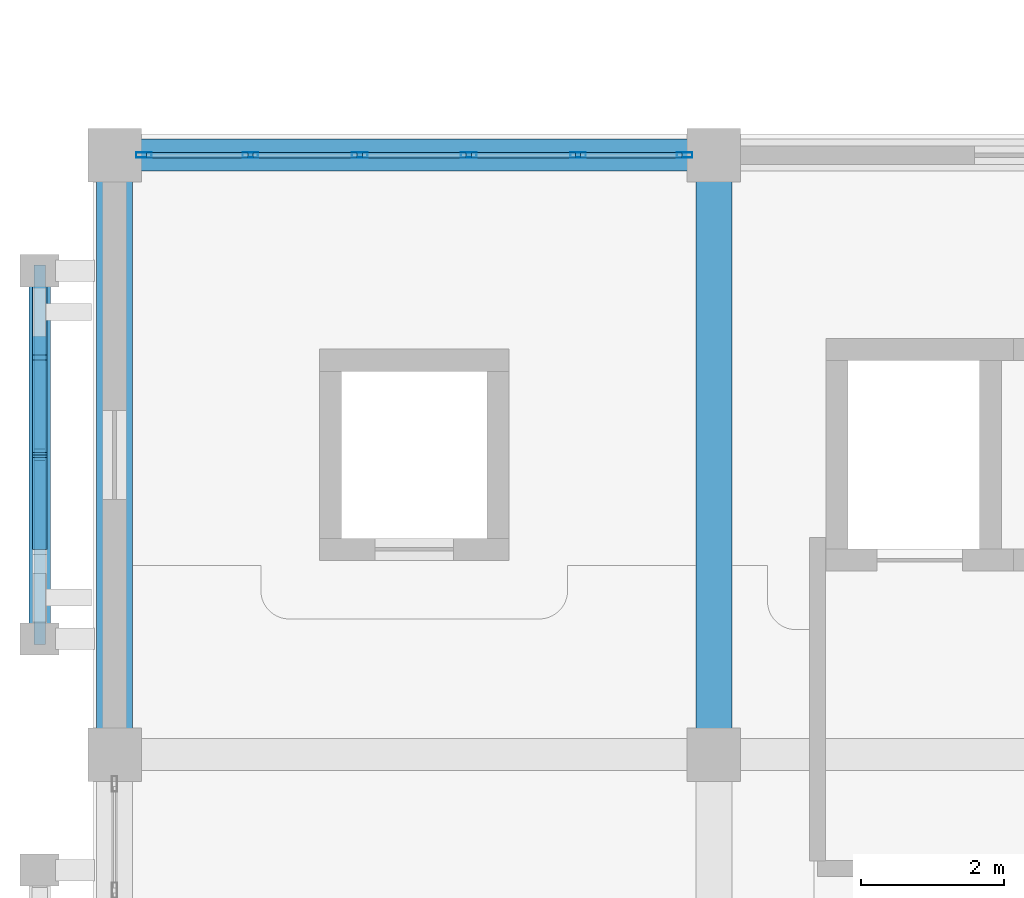
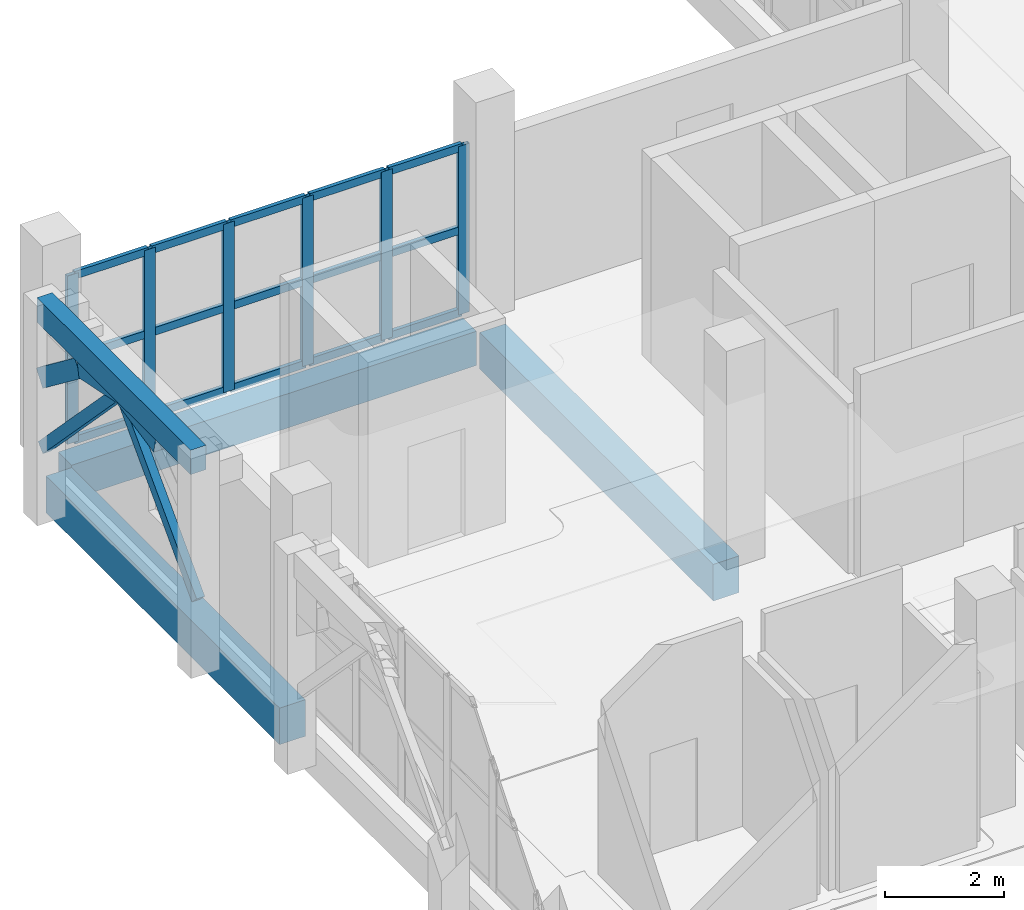
# One storey, part 52 of 114: 26 members, 4 beams, 1 element without a shape of its own.
"""IFC4 building model written with IfcOpenShell, lengths in metres."""

from ifc_helpers import new_model, si_unit, direction, frame, origin, origin_2d, place, context, subcontext, project, spatial, rectangle, hollow_rectangle, extrude, material, layer, layer_set, material_profile, profile_set, type_object, element, aggregate, save


model = new_model("IFC4")

# Units and contexts
model_context = context("Model", 3, precision=1e-05, world=origin(), true_north=direction((0.0, 1.0)))
body_context = subcontext(model_context, "Body", "Model", "MODEL_VIEW")
ifc_project = project(units=[si_unit("LENGTHUNIT", "METRE"), si_unit("AREAUNIT", "SQUARE_METRE"), si_unit("VOLUMEUNIT", "CUBIC_METRE"), si_unit("PLANEANGLEUNIT", "RADIAN"), si_unit("MASSUNIT", "GRAM", prefix="KILO")], contexts=[model_context])

# Site, building, storey
site_placement = place(None, origin())
site = spatial("IfcSite", under=ifc_project, at=site_placement, CompositionType="ELEMENT")
building_placement = place(site_placement, origin())
building = spatial("IfcBuilding", under=site, at=building_placement, Name="Xazarin Passage Department Store", CompositionType="ELEMENT")
storey_placement = place(building_placement, frame((0.0, 0.0, 14.39990234375)))
storey = spatial("IfcBuildingStorey", under=building, at=storey_placement, Name="L03", CompositionType="ELEMENT", Elevation=14.39990234375)

# Curtain wall, members
ifc_material_1 = material(Name="Bronze anodised aluminium", Category="aluminium")
ifc_layer = layer(ifc_material_1, 0.199951171875)
ifc_layer_set = layer_set([ifc_layer], Name="Bronze anodised aluminium")
curtain_wall_type = type_object("IfcCurtainWallType", Name="ARC-CW-VIT2", PredefinedType="NOTDEFINED", material=ifc_layer_set)
curtain_wall_placement = place(storey_placement, origin())
curtain_wall = element("IfcCurtainWall", 1, at=curtain_wall_placement, inside=storey, type_object=curtain_wall_type, Name="L03 V1 Curtain Wall 060", PredefinedType="NOTDEFINED")
ifc_material_profile_1 = material_profile(ifc_material_1, hollow_rectangle(XDim=0.074951171875, YDim=0.219970703125, WallThickness=0.0048828125, at=origin_2d()), Name="ALU 75x220")
ifc_profile_set_1 = profile_set([ifc_material_profile_1], Name="Bronze anodised aluminium")
member_type_1 = type_object("IfcMemberType", Name="ARC-CWM-75x220", PredefinedType="MULLION", material=ifc_profile_set_1)
member_1_placement = place(storey_placement, frame((0.41259765625, 101.60009765625, 0.0), z_axis=(0.0, 0.0, 1.0), x_axis=(0.0, 1.0, 0.0)))
member_1 = element("IfcMember", 2, at=member_1_placement, type_object=member_type_1, Name="CW2 mullion 1", PredefinedType="MULLION", context=body_context, shape_type="SweptSolid", body=[
    extrude(hollow_rectangle(XDim=0.074951171875, YDim=0.219970703125, WallThickness=0.0048828125, at=origin_2d()), origin(), (0.0, 0.0, 1.0), 3.4501953125),
])
member_2_placement = place(storey_placement, frame((1.905029296875, 101.60009765625, 0.0), z_axis=(0.0, 0.0, 1.0), x_axis=(0.0, 1.0, 0.0)))
member_2 = element("IfcMember", 3, at=member_2_placement, type_object=member_type_1, Name="CW2 mullion 2", PredefinedType="MULLION", context=body_context, shape_type="SweptSolid", body=[
    extrude(hollow_rectangle(XDim=0.074951171875, YDim=0.219970703125, WallThickness=0.0048828125, at=origin_2d()), origin(), (0.0, 0.0, 1.0), 3.4501953125),
])
member_3_placement = place(storey_placement, frame((3.43505859375, 101.60009765625, 0.0), z_axis=(0.0, 0.0, 1.0), x_axis=(0.0, 1.0, 0.0)))
member_3 = element("IfcMember", 4, at=member_3_placement, type_object=member_type_1, Name="CW2 mullion 3", PredefinedType="MULLION", context=body_context, shape_type="SweptSolid", body=[
    extrude(hollow_rectangle(XDim=0.074951171875, YDim=0.219970703125, WallThickness=0.0048828125, at=origin_2d()), origin(), (0.0, 0.0, 1.0), 3.4501953125),
])
member_4_placement = place(storey_placement, frame((4.965087890625, 101.60009765625, 0.0), z_axis=(0.0, 0.0, 1.0), x_axis=(0.0, 1.0, 0.0)))
member_4 = element("IfcMember", 5, at=member_4_placement, type_object=member_type_1, Name="CW2 mullion 4", PredefinedType="MULLION", context=body_context, shape_type="SweptSolid", body=[
    extrude(hollow_rectangle(XDim=0.074951171875, YDim=0.219970703125, WallThickness=0.0048828125, at=origin_2d()), origin(), (0.0, 0.0, 1.0), 3.4501953125),
])
member_5_placement = place(storey_placement, frame((6.4951171875, 101.60009765625, 0.0), z_axis=(0.0, 0.0, 1.0), x_axis=(0.0, 1.0, 0.0)))
member_5 = element("IfcMember", 6, at=member_5_placement, type_object=member_type_1, Name="CW2 mullion 5", PredefinedType="MULLION", context=body_context, shape_type="SweptSolid", body=[
    extrude(hollow_rectangle(XDim=0.074951171875, YDim=0.219970703125, WallThickness=0.0048828125, at=origin_2d()), origin(), (0.0, 0.0, 1.0), 3.4501953125),
])
member_6_placement = place(storey_placement, frame((7.987548828125, 101.60009765625, 0.0), z_axis=(0.0, 0.0, 1.0), x_axis=(0.0, 1.0, 0.0)))
member_6 = element("IfcMember", 7, at=member_6_placement, type_object=member_type_1, Name="CW2 mullion 6", PredefinedType="MULLION", context=body_context, shape_type="SweptSolid", body=[
    extrude(hollow_rectangle(XDim=0.074951171875, YDim=0.219970703125, WallThickness=0.0048828125, at=origin_2d()), origin(), (0.0, 0.0, 1.0), 3.4501953125),
])
ifc_material_profile_2 = material_profile(ifc_material_1, hollow_rectangle(XDim=0.074951171875, YDim=0.159912109375, WallThickness=0.00439453125, at=origin_2d()), Name="ALU 75x160")
ifc_profile_set_2 = profile_set([ifc_material_profile_2], Name="Bronze anodised aluminium")
member_type_2 = type_object("IfcMemberType", Name="ARC-CWT-75x160", PredefinedType="USERDEFINED", material=ifc_profile_set_2)
member_7_placement = place(storey_placement, frame((0.449951171875, 101.60009765625, 0.03759765625), z_axis=(1.0, 0.0, 0.0), x_axis=(0.0, 1.0, 0.0)))
member_7 = element("IfcMember", 8, at=member_7_placement, type_object=member_type_2, Name="CW2 transom 1.1", ObjectType="TRANSOM", PredefinedType="USERDEFINED", context=body_context, shape_type="SweptSolid", body=[
    extrude(hollow_rectangle(XDim=0.074951171875, YDim=0.159912109375, WallThickness=0.00439453125, at=origin_2d()), origin(), (0.0, 0.0, 1.0), 1.41748046875),
])
member_8_placement = place(storey_placement, frame((0.449951171875, 101.60009765625, 1.72509765625), z_axis=(1.0, 0.0, 0.0), x_axis=(0.0, 1.0, 0.0)))
member_8 = element("IfcMember", 9, at=member_8_placement, type_object=member_type_2, Name="CW2 transom 1.2", ObjectType="TRANSOM", PredefinedType="USERDEFINED", context=body_context, shape_type="SweptSolid", body=[
    extrude(hollow_rectangle(XDim=0.074951171875, YDim=0.159912109375, WallThickness=0.00439453125, at=origin_2d()), origin(), (0.0, 0.0, 1.0), 1.41748046875),
])
member_9_placement = place(storey_placement, frame((0.449951171875, 101.60009765625, 3.41259765625), z_axis=(1.0, 0.0, 0.0), x_axis=(0.0, 1.0, 0.0)))
member_9 = element("IfcMember", 10, at=member_9_placement, type_object=member_type_2, Name="CW2 transom 1.3", ObjectType="TRANSOM", PredefinedType="USERDEFINED", context=body_context, shape_type="SweptSolid", body=[
    extrude(hollow_rectangle(XDim=0.074951171875, YDim=0.159912109375, WallThickness=0.00439453125, at=origin_2d()), origin(), (0.0, 0.0, 1.0), 1.41748046875),
])
member_10_placement = place(storey_placement, frame((1.9423828125, 101.60009765625, 0.03759765625), z_axis=(1.0, 0.0, 0.0), x_axis=(0.0, 1.0, 0.0)))
member_10 = element("IfcMember", 11, at=member_10_placement, type_object=member_type_2, Name="CW2 transom 2.1", ObjectType="TRANSOM", PredefinedType="USERDEFINED", context=body_context, shape_type="SweptSolid", body=[
    extrude(hollow_rectangle(XDim=0.074951171875, YDim=0.159912109375, WallThickness=0.00439453125, at=origin_2d()), origin(), (0.0, 0.0, 1.0), 1.455078125),
])
member_11_placement = place(storey_placement, frame((1.9423828125, 101.60009765625, 1.72509765625), z_axis=(1.0, 0.0, 0.0), x_axis=(0.0, 1.0, 0.0)))
member_11 = element("IfcMember", 12, at=member_11_placement, type_object=member_type_2, Name="CW2 transom 2.2", ObjectType="TRANSOM", PredefinedType="USERDEFINED", context=body_context, shape_type="SweptSolid", body=[
    extrude(hollow_rectangle(XDim=0.074951171875, YDim=0.159912109375, WallThickness=0.00439453125, at=origin_2d()), origin(), (0.0, 0.0, 1.0), 1.455078125),
])
member_12_placement = place(storey_placement, frame((1.9423828125, 101.60009765625, 3.41259765625), z_axis=(1.0, 0.0, 0.0), x_axis=(0.0, 1.0, 0.0)))
member_12 = element("IfcMember", 13, at=member_12_placement, type_object=member_type_2, Name="CW2 transom 2.3", ObjectType="TRANSOM", PredefinedType="USERDEFINED", context=body_context, shape_type="SweptSolid", body=[
    extrude(hollow_rectangle(XDim=0.074951171875, YDim=0.159912109375, WallThickness=0.00439453125, at=origin_2d()), origin(), (0.0, 0.0, 1.0), 1.455078125),
])
member_13_placement = place(storey_placement, frame((3.472412109375, 101.60009765625, 0.03759765625), z_axis=(1.0, 0.0, 0.0), x_axis=(0.0, 1.0, 0.0)))
member_13 = element("IfcMember", 14, at=member_13_placement, type_object=member_type_2, Name="CW2 transom 3.1", ObjectType="TRANSOM", PredefinedType="USERDEFINED", context=body_context, shape_type="SweptSolid", body=[
    extrude(hollow_rectangle(XDim=0.074951171875, YDim=0.159912109375, WallThickness=0.00439453125, at=origin_2d()), origin(), (0.0, 0.0, 1.0), 1.455078125),
])
member_14_placement = place(storey_placement, frame((3.472412109375, 101.60009765625, 1.72509765625), z_axis=(1.0, 0.0, 0.0), x_axis=(0.0, 1.0, 0.0)))
member_14 = element("IfcMember", 15, at=member_14_placement, type_object=member_type_2, Name="CW2 transom 3.2", ObjectType="TRANSOM", PredefinedType="USERDEFINED", context=body_context, shape_type="SweptSolid", body=[
    extrude(hollow_rectangle(XDim=0.074951171875, YDim=0.159912109375, WallThickness=0.00439453125, at=origin_2d()), origin(), (0.0, 0.0, 1.0), 1.455078125),
])
member_15_placement = place(storey_placement, frame((3.472412109375, 101.60009765625, 3.41259765625), z_axis=(1.0, 0.0, 0.0), x_axis=(0.0, 1.0, 0.0)))
member_15 = element("IfcMember", 16, at=member_15_placement, type_object=member_type_2, Name="CW2 transom 3.3", ObjectType="TRANSOM", PredefinedType="USERDEFINED", context=body_context, shape_type="SweptSolid", body=[
    extrude(hollow_rectangle(XDim=0.074951171875, YDim=0.159912109375, WallThickness=0.00439453125, at=origin_2d()), origin(), (0.0, 0.0, 1.0), 1.455078125),
])
member_16_placement = place(storey_placement, frame((5.00244140625, 101.60009765625, 0.03759765625), z_axis=(1.0, 0.0, 0.0), x_axis=(0.0, 1.0, 0.0)))
member_16 = element("IfcMember", 17, at=member_16_placement, type_object=member_type_2, Name="CW2 transom 4.1", ObjectType="TRANSOM", PredefinedType="USERDEFINED", context=body_context, shape_type="SweptSolid", body=[
    extrude(hollow_rectangle(XDim=0.074951171875, YDim=0.159912109375, WallThickness=0.00439453125, at=origin_2d()), origin(), (0.0, 0.0, 1.0), 1.455078125),
])
member_17_placement = place(storey_placement, frame((5.00244140625, 101.60009765625, 1.72509765625), z_axis=(1.0, 0.0, 0.0), x_axis=(0.0, 1.0, 0.0)))
member_17 = element("IfcMember", 18, at=member_17_placement, type_object=member_type_2, Name="CW2 transom 4.2", ObjectType="TRANSOM", PredefinedType="USERDEFINED", context=body_context, shape_type="SweptSolid", body=[
    extrude(hollow_rectangle(XDim=0.074951171875, YDim=0.159912109375, WallThickness=0.00439453125, at=origin_2d()), origin(), (0.0, 0.0, 1.0), 1.455078125),
])
member_18_placement = place(storey_placement, frame((5.00244140625, 101.60009765625, 3.41259765625), z_axis=(1.0, 0.0, 0.0), x_axis=(0.0, 1.0, 0.0)))
member_18 = element("IfcMember", 19, at=member_18_placement, type_object=member_type_2, Name="CW2 transom 4.3", ObjectType="TRANSOM", PredefinedType="USERDEFINED", context=body_context, shape_type="SweptSolid", body=[
    extrude(hollow_rectangle(XDim=0.074951171875, YDim=0.159912109375, WallThickness=0.00439453125, at=origin_2d()), origin(), (0.0, 0.0, 1.0), 1.455078125),
])
member_19_placement = place(storey_placement, frame((6.532470703125, 101.60009765625, 0.03759765625), z_axis=(1.0, 0.0, 0.0), x_axis=(0.0, 1.0, 0.0)))
member_19 = element("IfcMember", 20, at=member_19_placement, type_object=member_type_2, Name="CW2 transom 5.1", ObjectType="TRANSOM", PredefinedType="USERDEFINED", context=body_context, shape_type="SweptSolid", body=[
    extrude(hollow_rectangle(XDim=0.074951171875, YDim=0.159912109375, WallThickness=0.00439453125, at=origin_2d()), origin(), (0.0, 0.0, 1.0), 1.41748046875),
])
member_20_placement = place(storey_placement, frame((6.532470703125, 101.60009765625, 1.72509765625), z_axis=(1.0, 0.0, 0.0), x_axis=(0.0, 1.0, 0.0)))
member_20 = element("IfcMember", 21, at=member_20_placement, type_object=member_type_2, Name="CW2 transom 5.2", ObjectType="TRANSOM", PredefinedType="USERDEFINED", context=body_context, shape_type="SweptSolid", body=[
    extrude(hollow_rectangle(XDim=0.074951171875, YDim=0.159912109375, WallThickness=0.00439453125, at=origin_2d()), origin(), (0.0, 0.0, 1.0), 1.41748046875),
])
member_21_placement = place(storey_placement, frame((6.532470703125, 101.60009765625, 3.41259765625), z_axis=(1.0, 0.0, 0.0), x_axis=(0.0, 1.0, 0.0)))
member_21 = element("IfcMember", 22, at=member_21_placement, type_object=member_type_2, Name="CW2 transom 5.3", ObjectType="TRANSOM", PredefinedType="USERDEFINED", context=body_context, shape_type="SweptSolid", body=[
    extrude(hollow_rectangle(XDim=0.074951171875, YDim=0.159912109375, WallThickness=0.00439453125, at=origin_2d()), origin(), (0.0, 0.0, 1.0), 1.41748046875),
])
aggregate(curtain_wall, [member_1, member_2, member_3, member_4, member_5, member_6, member_7, member_8, member_9, member_10, member_11, member_12, member_13, member_14, member_15, member_16, member_17, member_18, member_19, member_20, member_21])

# Beams
ifc_material_2 = material(Name="Concrete C35/45", Category="concrete")
ifc_material_profile_3 = material_profile(ifc_material_2, rectangle(XDim=0.449951171875, YDim=0.699951171875, at=origin_2d()), Name="RC 450x700")
ifc_profile_set_3 = profile_set([ifc_material_profile_3], Name="Concrete C35/45")
beam_type_1 = type_object("IfcBeamType", Name="STR-BM-G450x700", PredefinedType="BEAM", material=ifc_profile_set_3)
beam_1_placement = place(storey_placement, frame((0.280029296875, 101.60009765625, -0.64990234375), z_axis=(1.0, 0.0, 0.0), x_axis=(0.0, 1.0, 0.0)))
element("IfcBeam", 23, at=beam_1_placement, inside=storey, type_object=beam_type_1, Name="L03 Grid Beam P/1-2", PredefinedType="BEAM", context=body_context, shape_type="SweptSolid", body=[
    extrude(rectangle(XDim=0.449951171875, YDim=0.699951171875, at=origin_2d()), origin(), (0.0, 0.0, 1.0), 7.840087890625),
])
ifc_material_profile_4 = material_profile(ifc_material_2, rectangle(XDim=0.300048828125, YDim=0.5, at=origin_2d()), Name="RC 300x500")
ifc_profile_set_4 = profile_set([ifc_material_profile_4], Name="Concrete C35/45")
beam_type_2 = type_object("IfcBeamType", Name="STR-BM-LN300x500", PredefinedType="LINTEL", material=ifc_profile_set_4)
beam_2_placement = place(storey_placement, frame((-1.050048828125, 94.820068359375, 4.25), z_axis=(0.0, 1.0, 0.0), x_axis=(-1.0, 0.0, 0.0)))
element("IfcBeam", 24, at=beam_2_placement, inside=storey, type_object=beam_type_2, Name="L03 V1 Colonnade Spandrel Beam 013", PredefinedType="LINTEL", context=body_context, shape_type="SweptSolid", body=[
    extrude(rectangle(XDim=0.300048828125, YDim=0.5, at=origin_2d()), origin(), (0.0, 0.0, 1.0), 5.159912109375),
])
ifc_material_profile_5 = material_profile(ifc_material_2, rectangle(XDim=0.5, YDim=0.75, at=origin_2d()), Name="RC 500x750")
ifc_profile_set_5 = profile_set([ifc_material_profile_5], Name="Concrete C35/45")
beam_type_3 = type_object("IfcBeamType", Name="STR-BM-SP500x750", PredefinedType="SPANDREL", material=ifc_profile_set_5)
for number, where, z_axis, x_axis, name in (
    (25, (0.0, 93.47998046875, -0.6748046875), (0.0, 1.0, 0.0), (-1.0, 0.0, 0.0), "L03 Grid Beam 1/N-P"),
    (26, (8.39990234375, 93.47998046875, -0.6748046875), (0.0, 1.0, 0.0), (-1.0, 0.0, 0.0), "L03 Grid Beam 2/N-P"),
):
    element("IfcBeam", number, at=place(storey_placement, frame(where, z_axis=z_axis, x_axis=x_axis)), inside=storey, type_object=beam_type_3, Name=name, PredefinedType="SPANDREL", context=body_context, shape_type="SweptSolid", body=[
        extrude(rectangle(XDim=0.5, YDim=0.75, at=origin_2d()), origin(), (0.0, 0.0, 1.0), 7.840087890625),
    ])

# Members
ifc_material_3 = material(Name="Concrete C40/50", Category="concrete")
ifc_material_profile_6 = material_profile(ifc_material_3, rectangle(XDim=0.199951171875, YDim=0.360107421875, at=origin_2d()), Name="RC 200x360")
ifc_profile_set_6 = profile_set([ifc_material_profile_6], Name="Concrete C40/50")
member_type_3 = type_object("IfcMemberType", Name="STR-MEM-ARC360", PredefinedType="CHORD", material=ifc_profile_set_6)
member_22_placement = place(storey_placement, frame((-1.050048828125, 96.110107421875, 3.81640625), z_axis=(0.0, 0.979737268571, 0.2002870055), x_axis=(-1.0, 0.0, 0.0)))
element("IfcMember", 27, at=member_22_placement, inside=storey, type_object=member_type_3, Name="L03 V1 Pierced Lattice Curved Arch 013.2", PredefinedType="CHORD", context=body_context, shape_type="SweptSolid", body=[
    extrude(rectangle(XDim=0.199951171875, YDim=0.360107421875, at=origin_2d()), origin(), (0.0, 0.0, 1.0), 1.31640625),
])
member_23_placement = place(storey_placement, frame((-1.050048828125, 97.39990234375, 4.080078125), z_axis=(0.0, 0.979744705887, -0.200250621188), x_axis=(-1.0, 0.0, 0.0)))
element("IfcMember", 28, at=member_23_placement, inside=storey, type_object=member_type_3, Name="L03 V1 Pierced Lattice Curved Arch 013.3", PredefinedType="CHORD", context=body_context, shape_type="SweptSolid", body=[
    extrude(rectangle(XDim=0.199951171875, YDim=0.360107421875, at=origin_2d()), origin(), (0.0, 0.0, 1.0), 1.316650390625),
])
member_24_placement = place(storey_placement, frame((-1.050048828125, 98.68994140625, 3.81640625), z_axis=(0.0, 0.79440903847, -0.607383140692), x_axis=(-1.0, 0.0, 0.0)))
element("IfcMember", 29, at=member_24_placement, inside=storey, type_object=member_type_3, Name="L03 V1 Pierced Lattice Curved Arch 013.4", PredefinedType="CHORD", context=body_context, shape_type="SweptSolid", body=[
    extrude(rectangle(XDim=0.199951171875, YDim=0.360107421875, at=origin_2d()), origin(), (0.0, 0.0, 1.0), 1.623779296875),
])
ifc_material_profile_7 = material_profile(ifc_material_3, rectangle(XDim=0.159912109375, YDim=0.219970703125, at=origin_2d()), Name="RC 160x220")
ifc_profile_set_7 = profile_set([ifc_material_profile_7], Name="Concrete C40/50")
member_type_4 = type_object("IfcMemberType", Name="STR-MEM-TRC220", PredefinedType="CHORD", material=ifc_profile_set_7)
for number, where, z_axis, x_axis, name in (
    (30, (-1.050048828125, 97.39990234375, 4.080078125), (0.0, -0.693524382622, -0.72043315492), (1.0, 0.0, 0.0), "L03 V1 Upper Lattice Tracery Arch 013L"),
    (31, (-1.050048828125, 97.39990234375, 4.080078125), (0.0, 0.693558444435, -0.720400363793), (-1.0, 0.0, 0.0), "L03 V1 Upper Lattice Tracery Arch 013R"),
):
    element("IfcMember", number, at=place(storey_placement, frame(where, z_axis=z_axis, x_axis=x_axis)), inside=storey, type_object=member_type_4, Name=name, PredefinedType="CHORD", context=body_context, shape_type="SweptSolid", body=[
        extrude(rectangle(XDim=0.159912109375, YDim=0.219970703125, at=origin_2d()), origin(), (0.0, 0.0, 1.0), 3.719970703125),
    ])

save(model, "model.ifc")
